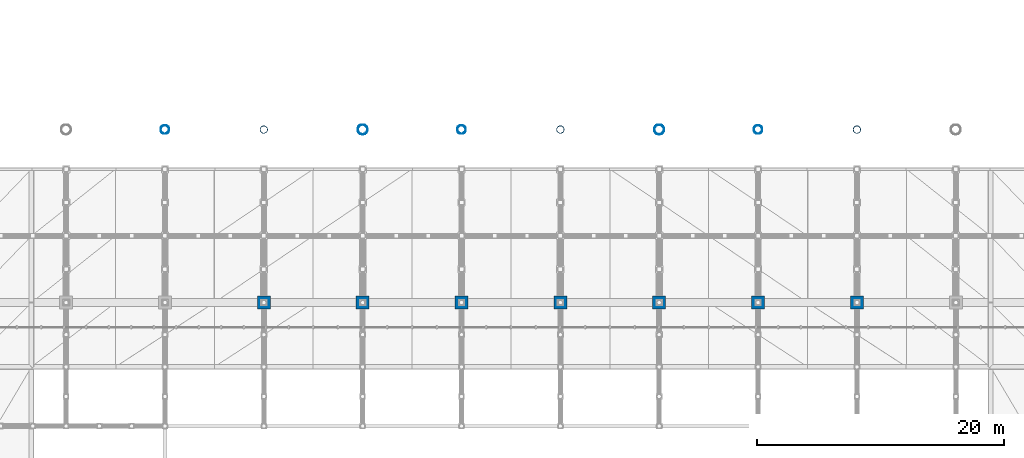
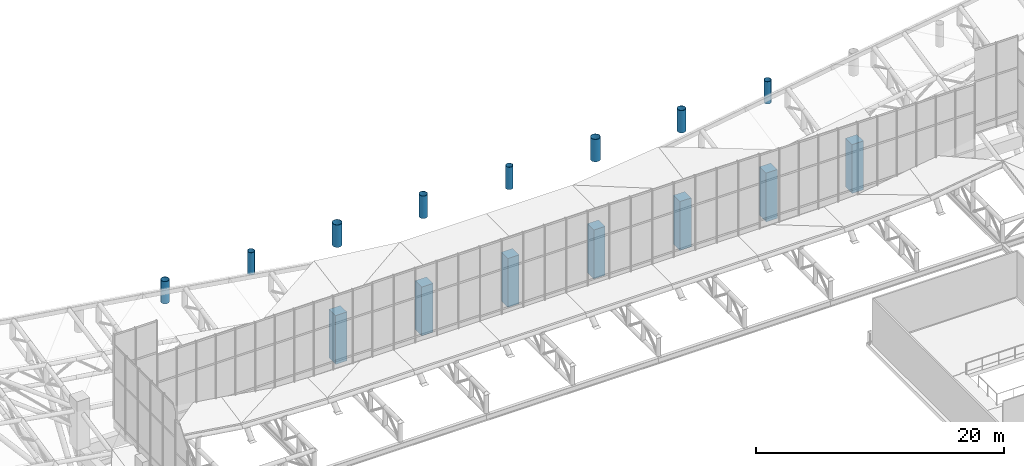
# One storey, part 3 of 137: 15 columns.
"""IFC4 building model written with IfcOpenShell, lengths in metres."""

import ifcopenshell
import ifcopenshell.guid

model = None  # the IFC model being written
_history = None  # IfcOwnerHistory: only IFC2X3 demands one
_inside = {}  # id of a spatial element -> (the spatial element, [elements in it])
_under = {}  # id of a project, library or spatial element -> (it, [spatial elements below it])
_declared = {}  # id of a project -> (the project, [libraries it declares])
_typed = {}  # id of a type object -> (the type object, [elements of that type])
_made_of = {}  # id of a material, layer set ... -> (it, [elements and type objects made of it])


def new_model(schema):
    """Start an empty IFC model of exactly this schema.

    Asked for "IFC4X3", IfcOpenShell would pick the latest addendum, in which some entities
    have other attributes; the version numbers below select the first issue.
    IFC2X3 requires an IfcOwnerHistory on every rooted entity: one is made here for all.
    """
    global model, _history
    if schema == "IFC4X3":
        model = ifcopenshell.file(schema_version=(4, 3, 0, 0))
    else:
        model = ifcopenshell.file(schema=schema)
    _inside.clear()
    _under.clear()
    _declared.clear()
    _typed.clear()
    _made_of.clear()
    _history = None
    if model.schema == "IFC2X3":
        org = make("IfcOrganization", Name="unknown")
        user = make(
            "IfcPersonAndOrganization",
            ThePerson=make("IfcPerson", FamilyName="unknown"),
            TheOrganization=org,
        )
        app = make(
            "IfcApplication",
            ApplicationDeveloper=org,
            Version="unknown",
            ApplicationFullName="unknown",
            ApplicationIdentifier="unknown",
        )
        _history = make(
            "IfcOwnerHistory",
            OwningUser=user,
            OwningApplication=app,
            ChangeAction="ADDED",
            CreationDate=0,
        )
    return model


def make(cls, **values):
    """One entity of the class cls with the attributes given. An attribute that is None is left unset."""
    return model.create_entity(
        cls, **{name: value for name, value in values.items() if value is not None}
    )


def rooted(cls, **values):
    """An entity with a GlobalId (a new one), such as an element, a storey or a relation."""
    return make(cls, GlobalId=ifcopenshell.guid.new(), OwnerHistory=_history, **values)


def si_unit(unit_type, name, prefix=None):
    """IfcSIUnit, for example si_unit("LENGTHUNIT", "METRE", prefix="MILLI")."""
    return make("IfcSIUnit", UnitType=unit_type, Prefix=prefix, Name=name)


def assignment(units):
    """IfcUnitAssignment: the units of a project."""
    return None if units is None else make("IfcUnitAssignment", Units=units)


def point(xyz):
    """IfcCartesianPoint."""
    return None if xyz is None else make("IfcCartesianPoint", Coordinates=xyz)


def direction(xyz):
    """IfcDirection."""
    return None if xyz is None else make("IfcDirection", DirectionRatios=xyz)


def frame(location, z_axis=None, x_axis=None):
    """IfcAxis2Placement3D, a coordinate frame: its origin and axes. An axis left out is left unset."""
    return make(
        "IfcAxis2Placement3D",
        Location=point(location),
        Axis=direction(z_axis),
        RefDirection=direction(x_axis),
    )


def frame_2d(location, x_axis=None):
    """IfcAxis2Placement2D, a coordinate frame in the plane: its origin and x axis."""
    return make(
        "IfcAxis2Placement2D", Location=point(location), RefDirection=direction(x_axis)
    )


def origin():
    """The frame at (0, 0, 0) with its axes left unset."""
    return frame((0.0, 0.0, 0.0))


def origin_2d():
    """The frame at (0, 0) in the plane with its x axis left unset."""
    return frame_2d((0.0, 0.0))


def place(relative_to, where):
    """IfcLocalPlacement: puts the frame where relative to a parent placement (None: the world)."""
    return make(
        "IfcLocalPlacement", PlacementRelTo=relative_to, RelativePlacement=where
    )


def context(
    kind, dimensions, precision=None, world=None, true_north=None, identifier=None
):
    """IfcGeometricRepresentationContext, for example the 3D "Model" context."""
    return make(
        "IfcGeometricRepresentationContext",
        ContextIdentifier=identifier,
        ContextType=kind,
        CoordinateSpaceDimension=dimensions,
        Precision=precision,
        WorldCoordinateSystem=world,
        TrueNorth=true_north,
    )


def subcontext(parent, identifier, kind, view, scale=None):
    """IfcGeometricRepresentationSubContext, for example "Body" below "Model"."""
    return make(
        "IfcGeometricRepresentationSubContext",
        ContextIdentifier=identifier,
        ContextType=kind,
        ParentContext=parent,
        TargetScale=scale,
        TargetView=view,
    )


def project(units=None, contexts=None):
    """IfcProject with its units and contexts."""
    return rooted(
        "IfcProject",
        Name="project",
        RepresentationContexts=contexts,
        UnitsInContext=assignment(units),
    )


def spatial(cls, under=None, at=None, **own):
    """A site, building, storey or space (cls), placed at a placement, below another one or the project."""
    s = rooted(cls, ObjectPlacement=at, **own)
    if under is not None:
        _under.setdefault(under.id(), (under, []))[1].append(s)
    return s


def profile(cls, at=None, kind="AREA", **sizes):
    """A parametric profile (cls). Its sizes go by their IFC names, for example OverallWidth=200.0."""
    return make(cls, ProfileType=kind, Position=at, **sizes)


def rectangle(**sizes):
    """IfcRectangleProfileDef."""
    return profile("IfcRectangleProfileDef", **sizes)


def hollow_circle(**sizes):
    """IfcCircleHollowProfileDef."""
    return profile("IfcCircleHollowProfileDef", **sizes)


def extrude(swept, where, along, depth):
    """IfcExtrudedAreaSolid: the profile swept, set in the frame where, extruded along a direction by depth."""
    return make(
        "IfcExtrudedAreaSolid",
        SweptArea=swept,
        Position=where,
        ExtrudedDirection=direction(along),
        Depth=depth,
    )


def shape(context_of_items, identifier, shape_type, items):
    """IfcShapeRepresentation: the items that make up one representation, for example the "Body"."""
    return make(
        "IfcShapeRepresentation",
        ContextOfItems=context_of_items,
        RepresentationIdentifier=identifier,
        RepresentationType=shape_type,
        Items=items,
    )


def material(Name=None, Category=None):
    """IfcMaterial."""
    return make("IfcMaterial", Name=Name, Category=Category)


def material_profile(
    of_material, cross_section, Name=None, Category=None, Priority=None
):
    """IfcMaterialProfile: a cross section and its material."""
    return make(
        "IfcMaterialProfile",
        Name=Name,
        Material=of_material,
        Profile=cross_section,
        Priority=Priority,
        Category=Category,
    )


def profile_set(profiles, Name=None, composite=None):
    """IfcMaterialProfileSet."""
    return make(
        "IfcMaterialProfileSet",
        Name=Name,
        MaterialProfiles=profiles,
        CompositeProfile=composite,
    )


def made_of(thing, what):
    """Note that an element or type object is made of a material, layer set ...; save() writes the relation."""
    if what is not None:
        _made_of.setdefault(what.id(), (what, []))[1].append(thing)
    return thing


def type_object(cls, material=None, **own):
    """A type object (cls), such as IfcWallType, which elements share."""
    return made_of(rooted(cls, **own), material)


def element(
    cls,
    number,
    at=None,
    inside=None,
    cuts=None,
    type_object=None,
    material=None,
    context=None,
    identifier="Body",
    shape_type=None,
    held_by="IfcProductDefinitionShape",
    body=None,
    shapes=None,
    **own,
):
    """One element of the class cls, such as IfcWall. Its Tag is "e" and its number.

    at: its placement. inside: the storey or other place that contains it. cuts: it is an
    opening in that element (IfcRelVoidsElement). A single representation is given by context,
    identifier, shape_type and body (its items); several are given by shapes. held_by: the class
    of the entity that holds the representations. save() writes the other relations.
    """
    e = rooted(cls, Tag="e%d" % number, ObjectPlacement=at, **own)
    if body is not None:
        shapes = [shape(context, identifier, shape_type, body)]
    if shapes is not None:
        e.Representation = make(held_by, Representations=shapes)
    if inside is not None:
        _inside.setdefault(inside.id(), (inside, []))[1].append(e)
    if cuts is not None:
        rooted(
            "IfcRelVoidsElement", RelatingBuildingElement=cuts, RelatedOpeningElement=e
        )
    if type_object is not None:
        _typed.setdefault(type_object.id(), (type_object, []))[1].append(e)
    return made_of(e, material)


def aggregate(whole, parts):
    """IfcRelAggregates: a whole, such as a stair, and the parts it consists of."""
    return rooted("IfcRelAggregates", RelatingObject=whole, RelatedObjects=parts)


def save(model, path):
    """Write the relations noted so far, then the file.

    IfcRelAggregates (storeys below a building ...), IfcRelContainedInSpatialStructure (elements
    in a storey), IfcRelDefinesByType, IfcRelAssociatesMaterial and IfcRelDeclares: one each for
    every whole, place, type object, material and project.
    """
    for whole, parts in _under.values():
        aggregate(whole, parts)
    for where, things in _inside.values():
        rooted(
            "IfcRelContainedInSpatialStructure",
            RelatedElements=things,
            RelatingStructure=where,
        )
    for kind, things in _typed.values():
        rooted("IfcRelDefinesByType", RelatedObjects=things, RelatingType=kind)
    for what, things in _made_of.values():
        rooted("IfcRelAssociatesMaterial", RelatedObjects=things, RelatingMaterial=what)
    for by, libraries in _declared.values():
        rooted("IfcRelDeclares", RelatingContext=by, RelatedDefinitions=libraries)
    model.write(path)


model = new_model("IFC4")

# Units and contexts
model_context = context("Model", 3, precision=1e-05, world=origin(), true_north=direction((0.0, 1.0)))
body_context = subcontext(model_context, "Body", "Model", "MODEL_VIEW")
ifc_project = project(units=[si_unit("LENGTHUNIT", "METRE"), si_unit("AREAUNIT", "SQUARE_METRE"), si_unit("VOLUMEUNIT", "CUBIC_METRE"), si_unit("PLANEANGLEUNIT", "RADIAN"), si_unit("MASSUNIT", "GRAM", prefix="KILO")], contexts=[model_context])

# Site, building, storey
site_placement = place(None, origin())
site = spatial("IfcSite", under=ifc_project, at=site_placement, CompositionType="ELEMENT")
building_placement = place(site_placement, origin())
building = spatial("IfcBuilding", under=site, at=building_placement, Name="Khorjan Park Terminus", CompositionType="ELEMENT")
storey_placement = place(building_placement, frame((0.0, 0.0, 11.4)))
storey = spatial("IfcBuildingStorey", under=building, at=storey_placement, Name="L02", CompositionType="ELEMENT", Elevation=11.4)

# Columns
ifc_material_1 = material(Name="Concrete C50/60", Category="concrete")
ifc_material_profile_1 = material_profile(ifc_material_1, rectangle(XDim=1.05, YDim=1.05, at=origin_2d()), Name="RC 1050x1050")
ifc_profile_set_1 = profile_set([ifc_material_profile_1], Name="Concrete C50/60")
column_type_1 = type_object("IfcColumnType", Name="COL-RC1050", PredefinedType="COLUMN", material=ifc_profile_set_1)
for number, where, z_axis, x_axis, name in (
    (1, (72.0, 88.0, 0.0), (0.0, 0.0, 1.0), (1.0, 0.0, 0.0), "Structural column C-RC105 (L02 #322)"),
    (2, (80.0, 88.0, 0.0), (0.0, 0.0, 1.0), (1.0, 0.0, 0.0), "Structural column C-RC105 (L02 #343)"),
    (3, (88.0, 88.0, 0.0), (0.0, 0.0, 1.0), (1.0, 0.0, 0.0), "Structural column C-RC105 (L02 #359)"),
    (4, (96.0, 88.0, 0.0), (0.0, 0.0, 1.0), (1.0, 0.0, 0.0), "Structural column C-RC105 (L02 #380)"),
    (5, (104.0, 88.0, 0.0), (0.0, 0.0, 1.0), (1.0, 0.0, 0.0), "Structural column C-RC105 (L02 #396)"),
    (6, (112.0, 88.0, 0.0), (0.0, 0.0, 1.0), (1.0, 0.0, 0.0), "Structural column C-RC105 (L02 #424)"),
    (7, (120.0, 88.0, 0.0), (0.0, 0.0, 1.0), (1.0, 0.0, 0.0), "Structural column C-RC105 (L02 #439)"),
):
    element("IfcColumn", number, at=place(storey_placement, frame(where, z_axis=z_axis, x_axis=x_axis)), inside=storey, type_object=column_type_1, Name=name, PredefinedType="COLUMN", context=body_context, shape_type="SweptSolid", body=[
        extrude(rectangle(XDim=1.05, YDim=1.05, at=origin_2d()), origin(), (0.0, 0.0, 1.0), 4.8),
    ])
ifc_material_2 = material(Name="Steel S355", Category="steel")
ifc_material_profile_2 = material_profile(ifc_material_2, hollow_circle(Radius=0.305, WallThickness=0.02, at=origin_2d()), Name="CHS 610x20")
ifc_profile_set_2 = profile_set([ifc_material_profile_2], Name="Steel S355")
column_type_2 = type_object("IfcColumnType", Name="COL-SH610E", PredefinedType="COLUMN", material=ifc_profile_set_2)
for number, where, z_axis, x_axis, name in (
    (8, (72.0, 102.0, 0.0), (0.0, 0.0, 1.0), (1.0, 0.0, 0.0), "Structural column SC-61 (L02 #104)"),
    (9, (96.0, 102.0, 0.0), (0.0, 0.0, 1.0), (1.0, 0.0, 0.0), "Structural column SC-61 (L02 #139)"),
    (10, (120.0, 102.0, 0.0), (0.0, 0.0, 1.0), (1.0, 0.0, 0.0), "Structural column SC-61 (L02 #179)"),
):
    element("IfcColumn", number, at=place(storey_placement, frame(where, z_axis=z_axis, x_axis=x_axis)), inside=storey, type_object=column_type_2, Name=name, PredefinedType="COLUMN", context=body_context, shape_type="SweptSolid", body=[
        extrude(hollow_circle(Radius=0.305, WallThickness=0.02, at=origin_2d()), origin(), (0.0, 0.0, 1.0), 2.2),
    ])
ifc_material_profile_3 = material_profile(ifc_material_2, hollow_circle(Radius=0.3555, WallThickness=0.025, at=origin_2d()), Name="CHS 711x25")
ifc_profile_set_3 = profile_set([ifc_material_profile_3], Name="Steel S355")
column_type_3 = type_object("IfcColumnType", Name="COL-SH711E", PredefinedType="COLUMN", material=ifc_profile_set_3)
for number, where, z_axis, x_axis, name in (
    (11, (64.0, 102.0, 0.0), (0.0, 0.0, 1.0), (1.0, 0.0, 0.0), "Structural column SC-71 (L02 #90)"),
    (12, (88.0, 102.0, 0.0), (0.0, 0.0, 1.0), (1.0, 0.0, 0.0), "Structural column SC-71 (L02 #127)"),
    (13, (112.0, 102.0, 0.0), (0.0, 0.0, 1.0), (1.0, 0.0, 0.0), "Structural column SC-71 (L02 #165)"),
):
    element("IfcColumn", number, at=place(storey_placement, frame(where, z_axis=z_axis, x_axis=x_axis)), inside=storey, type_object=column_type_3, Name=name, PredefinedType="COLUMN", context=body_context, shape_type="SweptSolid", body=[
        extrude(hollow_circle(Radius=0.3555, WallThickness=0.025, at=origin_2d()), origin(), (0.0, 0.0, 1.0), 2.2),
    ])
ifc_material_profile_4 = material_profile(ifc_material_2, hollow_circle(Radius=0.4065, WallThickness=0.025, at=origin_2d()), Name="CHS 813x25")
ifc_profile_set_4 = profile_set([ifc_material_profile_4], Name="Steel S355")
column_type_4 = type_object("IfcColumnType", Name="COL-SH813E", PredefinedType="COLUMN", material=ifc_profile_set_4)
for number, where, z_axis, x_axis, name in (
    (14, (80.0, 102.0, 0.0), (0.0, 0.0, 1.0), (1.0, 0.0, 0.0), "Structural column SC-81 (L02 #118)"),
    (15, (104.0, 102.0, 0.0), (0.0, 0.0, 1.0), (1.0, 0.0, 0.0), "Structural column SC-81 (L02 #151)"),
):
    element("IfcColumn", number, at=place(storey_placement, frame(where, z_axis=z_axis, x_axis=x_axis)), inside=storey, type_object=column_type_4, Name=name, PredefinedType="COLUMN", context=body_context, shape_type="SweptSolid", body=[
        extrude(hollow_circle(Radius=0.4065, WallThickness=0.025, at=origin_2d()), origin(), (0.0, 0.0, 1.0), 2.2),
    ])

save(model, "model.ifc")
